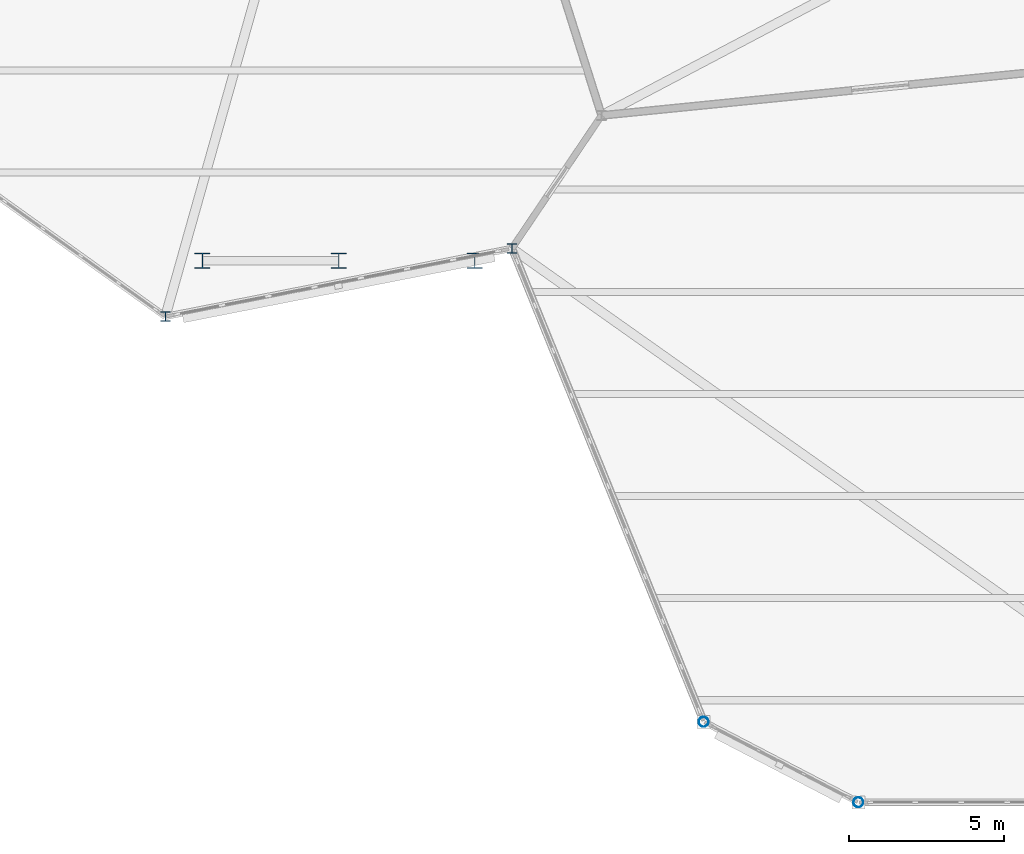
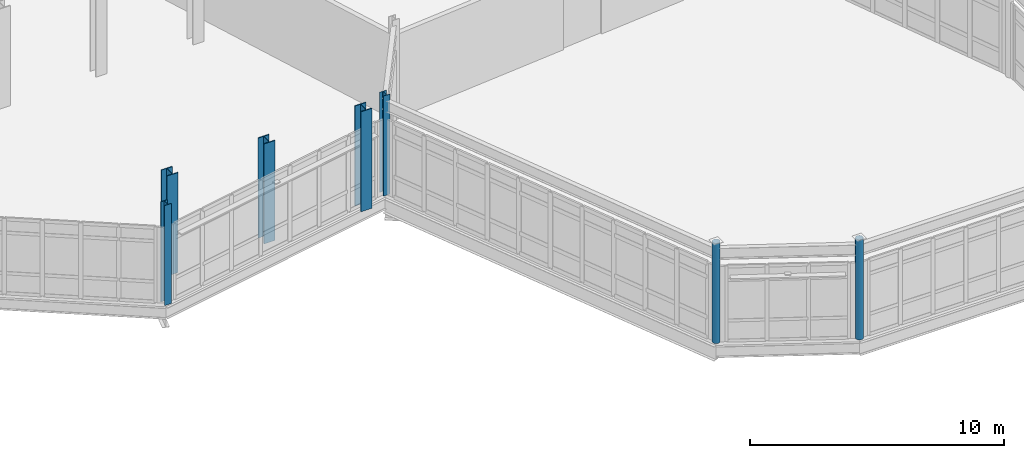
# One storey, part 18 of 134: 7 columns.
"""IFC4 building model written with IfcOpenShell, lengths in metres."""

from ifc_helpers import new_model, si_unit, direction, frame, origin, origin_2d, place, context, subcontext, project, spatial, hollow_circle, i_section, extrude, material, material_profile, profile_set, type_object, element, save


model = new_model("IFC4")

# Units and contexts
model_context = context("Model", 3, precision=1e-05, world=origin(), true_north=direction((0.0, 1.0)))
body_context = subcontext(model_context, "Body", "Model", "MODEL_VIEW")
ifc_project = project(units=[si_unit("LENGTHUNIT", "METRE"), si_unit("AREAUNIT", "SQUARE_METRE"), si_unit("VOLUMEUNIT", "CUBIC_METRE"), si_unit("PLANEANGLEUNIT", "RADIAN"), si_unit("MASSUNIT", "GRAM", prefix="KILO")], contexts=[model_context])

# Site, building, storey
site_placement = place(None, origin())
site = spatial("IfcSite", under=ifc_project, at=site_placement, CompositionType="ELEMENT")
building_placement = place(site_placement, origin())
building = spatial("IfcBuilding", under=site, at=building_placement, Name="Tameran Prism Museum", CompositionType="ELEMENT")
storey_placement = place(building_placement, frame((0.0, 0.0, 5.39990234375)))
storey = spatial("IfcBuildingStorey", under=building, at=storey_placement, Name="L01", CompositionType="ELEMENT", Elevation=5.39990234375)

# Columns
ifc_material_1 = material(Name="Steel Grade C350L0 (350 MPa)", Category="steel")
ifc_material_profile_1 = material_profile(ifc_material_1, hollow_circle(Radius=0.161865234375, WallThickness=0.010009765625, at=origin_2d()))
ifc_profile_set_1 = profile_set([ifc_material_profile_1])
column_type_1 = type_object("IfcColumnType", Name="COL-CHS324", PredefinedType="COLUMN", material=ifc_profile_set_1)
for number, where, z_axis, x_axis, name in (
    (1, (147.300048828125, 2.60009765625, 0.0), (0.0, 0.0, 1.0), (1.0, 0.0, 0.0), "Column CV-62 L01"),
    (2, (152.300048828125, 0.0, 0.0), (0.0, 0.0, 1.0), (1.0, 0.0, 0.0), "Column CV-64 L01"),
):
    element("IfcColumn", number, at=place(storey_placement, frame(where, z_axis=z_axis, x_axis=x_axis)), inside=storey, type_object=column_type_1, Name=name, PredefinedType="COLUMN", context=body_context, shape_type="SweptSolid", body=[
        extrude(hollow_circle(Radius=0.161865234375, WallThickness=0.010009765625, at=origin_2d()), origin(), (0.0, 0.0, 1.0), 4.800048828125),
    ])
ifc_material_2 = material(Name="Steel Grade 300PLUS (300 MPa)", Category="steel")
ifc_material_profile_2 = material_profile(ifc_material_2, i_section(OverallWidth=0.306884765625, OverallDepth=0.31494140625, WebThickness=0.011962890625, FlangeThickness=0.018798828125, FilletRadius=0.0166015625, at=origin_2d()))
ifc_profile_set_2 = profile_set([ifc_material_profile_2])
column_type_2 = type_object("IfcColumnType", Name="COL-UC310C", PredefinedType="COLUMN", material=ifc_profile_set_2)
for number, where, z_axis, x_axis, name in (
    (3, (129.89990234375, 15.699951171875, 0.0), (0.0, 0.0, 1.0), (1.0, 0.0, 0.0), "Column CV-52 L01"),
    (4, (141.10009765625, 17.89990234375, 0.0), (0.0, 0.0, 1.0), (1.0, 0.0, 0.0), "Column CV-59 L01"),
):
    element("IfcColumn", number, at=place(storey_placement, frame(where, z_axis=z_axis, x_axis=x_axis)), inside=storey, type_object=column_type_2, Name=name, PredefinedType="COLUMN", context=body_context, shape_type="SweptSolid", body=[
        extrude(i_section(OverallWidth=0.306884765625, OverallDepth=0.31494140625, WebThickness=0.011962890625, FlangeThickness=0.018798828125, FilletRadius=0.0166015625, at=origin_2d()), origin(), (0.0, 0.0, 1.0), 4.800048828125),
    ])
ifc_material_3 = material(Name="Steel Grade 350 (350 MPa)", Category="steel")
ifc_material_profile_3 = material_profile(ifc_material_3, i_section(OverallWidth=0.5, OverallDepth=0.5, WebThickness=0.02197265625, FlangeThickness=0.035888671875, at=origin_2d()))
ifc_profile_set_3 = profile_set([ifc_material_profile_3])
column_type_3 = type_object("IfcColumnType", Name="COL-WC500", PredefinedType="COLUMN", material=ifc_profile_set_3)
for number, where, z_axis, x_axis, name in (
    (5, (131.10009765625, 17.5, 0.0), (0.0, 0.0, 1.0), (1.0, 0.0, 0.0), "Column CT-1F L01"),
    (6, (135.5, 17.5, 0.0), (0.0, 0.0, 1.0), (1.0, 0.0, 0.0), "Column CT-2F L01"),
    (7, (139.89990234375, 17.5, 0.0), (0.0, 0.0, 1.0), (1.0, 0.0, 0.0), "Column CT-3F L01"),
):
    element("IfcColumn", number, at=place(storey_placement, frame(where, z_axis=z_axis, x_axis=x_axis)), inside=storey, type_object=column_type_3, Name=name, PredefinedType="COLUMN", context=body_context, shape_type="SweptSolid", body=[
        extrude(i_section(OverallWidth=0.5, OverallDepth=0.5, WebThickness=0.02197265625, FlangeThickness=0.035888671875, at=origin_2d()), origin(), (0.0, 0.0, 1.0), 4.800048828125),
    ])

save(model, "model.ifc")
